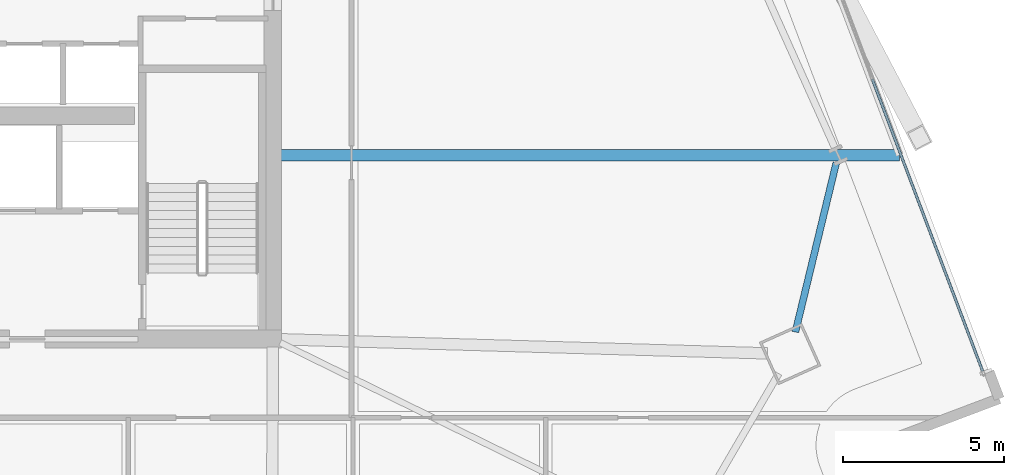
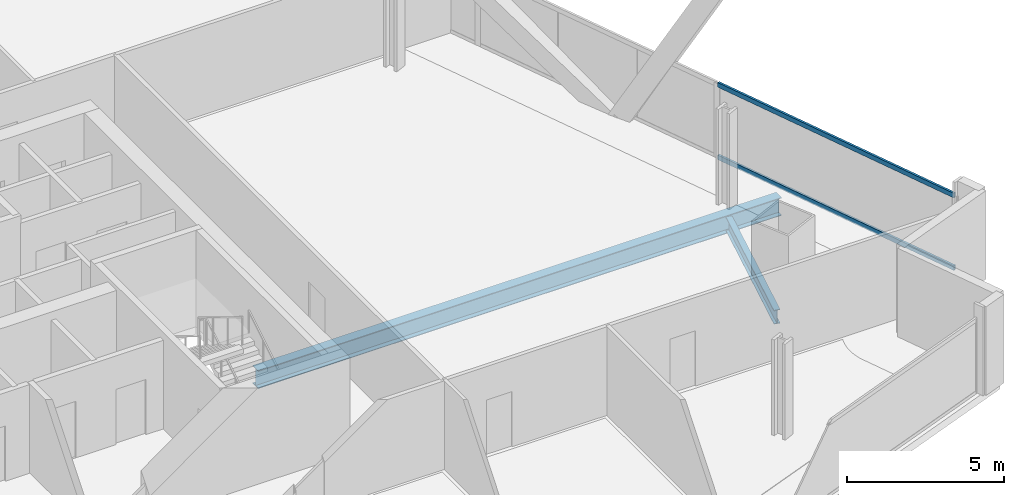
# One storey, part 14 of 37: 2 beams, 2 members, 1 element without a shape of its own.
"""IFC4 building model written with IfcOpenShell, lengths in metres."""

from ifc_helpers import new_model, si_unit, direction, frame, origin, origin_2d, place, context, subcontext, project, spatial, hollow_rectangle, i_section, extrude, material, material_profile, profile_set, type_object, element, aggregate, save


model = new_model("IFC4")

# Units and contexts
model_context = context("Model", 3, precision=1e-05, world=origin(), true_north=direction((0.0, 1.0)))
body_context = subcontext(model_context, "Body", "Model", "MODEL_VIEW")
ifc_project = project(units=[si_unit("LENGTHUNIT", "METRE"), si_unit("AREAUNIT", "SQUARE_METRE"), si_unit("VOLUMEUNIT", "CUBIC_METRE"), si_unit("PLANEANGLEUNIT", "RADIAN"), si_unit("MASSUNIT", "GRAM", prefix="KILO")], contexts=[model_context])

# Site, building, storey
site_placement = place(None, origin())
site = spatial("IfcSite", under=ifc_project, at=site_placement, CompositionType="ELEMENT")
building_placement = place(site_placement, origin())
building = spatial("IfcBuilding", under=site, at=building_placement, Name="Haldenkirk Collegiate Tower", CompositionType="ELEMENT")
storey_placement = place(building_placement, frame((0.0, 0.0, 97.949951171875)))
storey = spatial("IfcBuildingStorey", under=building, at=storey_placement, Name="L23", CompositionType="ELEMENT", Elevation=97.949951171875)

# Beams
ifc_material_1 = material(Name="Steel ASTM A992 Grade 50", Category="steel")
ifc_material_profile_1 = material_profile(ifc_material_1, i_section(OverallWidth=0.35498046875, OverallDepth=0.696044921875, WebThickness=0.015380859375, FlangeThickness=0.02490234375, at=origin_2d()), Name="W27X146")
ifc_profile_set_1 = profile_set([ifc_material_profile_1], Name="Steel ASTM A992 Grade 50")
beam_type_1 = type_object("IfcBeamType", Name="BM-GIRDER-W27X146", PredefinedType="BEAM", material=ifc_profile_set_1)
beam_1_placement = place(storey_placement, frame((64.52490234375, 23.727294921875, -0.64794921875), z_axis=(-1.0, 0.0, 0.0), x_axis=(0.0, -1.0, 0.0)))
element("IfcBeam", 1, at=beam_1_placement, inside=storey, type_object=beam_type_1, Name="L23 primary floor girder 08", PredefinedType="BEAM", context=body_context, shape_type="SweptSolid", body=[
    extrude(i_section(OverallWidth=0.35498046875, OverallDepth=0.696044921875, WebThickness=0.015380859375, FlangeThickness=0.02490234375, at=origin_2d()), origin(), (0.0, 0.0, 1.0), 19.27001953125),
])
ifc_material_profile_2 = material_profile(ifc_material_1, i_section(OverallWidth=0.2119140625, OverallDepth=0.5439453125, WebThickness=0.01318359375, FlangeThickness=0.021240234375, at=origin_2d()), Name="W21X83")
ifc_profile_set_2 = profile_set([ifc_material_profile_2], Name="Steel ASTM A992 Grade 50")
beam_type_2 = type_object("IfcBeamType", Name="BM-SPANDREL-W21X83", PredefinedType="SPANDREL", material=ifc_profile_set_2)
beam_2_placement = place(storey_placement, frame((61.277587890625, 18.21826171875, -0.572021484375), z_axis=(0.234815122269, 0.972040049768, 0.0), x_axis=(-0.972040049768, 0.234815122269, 0.0)))
element("IfcBeam", 2, at=beam_2_placement, inside=storey, type_object=beam_type_2, Name="L23 perimeter spandrel beam 05", PredefinedType="SPANDREL", context=body_context, shape_type="SweptSolid", body=[
    extrude(i_section(OverallWidth=0.2119140625, OverallDepth=0.5439453125, WebThickness=0.01318359375, FlangeThickness=0.021240234375, at=origin_2d()), origin(), (0.0, 0.0, 1.0), 5.422119140625),
])

# Curtain wall, members
ifc_material_2 = material(Name="Anodised architectural bronze aluminium", Category="aluminium")
curtain_wall_type = type_object("IfcCurtainWallType", Name="CW-SYS1-CONVEX-LOW", PredefinedType="USERDEFINED", material=ifc_material_2)
curtain_wall_placement = place(storey_placement, origin())
curtain_wall = element("IfcCurtainWall", 3, at=curtain_wall_placement, inside=storey, type_object=curtain_wall_type, Name="L23 Lower tower convex bronze-framed unitised curtain wall", ObjectType="UNITISED CURTAIN WALL", PredefinedType="USERDEFINED")
ifc_material_profile_3 = material_profile(ifc_material_2, hollow_rectangle(XDim=0.080078125, YDim=0.179931640625, WallThickness=0.0048828125, at=origin_2d()), Name="CW-TRN-1A")
ifc_profile_set_3 = profile_set([ifc_material_profile_3], Name="Anodised architectural bronze aluminium")
member_type = type_object("IfcMemberType", Name="CW-TRN-1A", PredefinedType="USERDEFINED", material=ifc_profile_set_3)
member_1_placement = place(storey_placement, frame((63.671875, 26.09765625, 0.0400390625), z_axis=(0.353489862258, -0.935438355682, 0.0), x_axis=(0.935438355682, 0.353489862258, 0.0)))
member_1 = element("IfcMember", 4, at=member_1_placement, type_object=member_type, Name="CW-1A transom 4.1", ObjectType="TRANSOM", PredefinedType="USERDEFINED", context=body_context, shape_type="SweptSolid", body=[
    extrude(hollow_rectangle(XDim=0.080078125, YDim=0.179931640625, WallThickness=0.0048828125, at=origin_2d()), origin(), (0.0, 0.0, 1.0), 9.72998046875),
])
member_2_placement = place(storey_placement, frame((63.671875, 26.09765625, 2.861083984375), z_axis=(0.353489862258, -0.935438355682, 0.0), x_axis=(0.935438355682, 0.353489862258, 0.0)))
member_2 = element("IfcMember", 5, at=member_2_placement, type_object=member_type, Name="CW-1A transom 4.2", ObjectType="TRANSOM", PredefinedType="USERDEFINED", context=body_context, shape_type="SweptSolid", body=[
    extrude(hollow_rectangle(XDim=0.080078125, YDim=0.179931640625, WallThickness=0.0048828125, at=origin_2d()), origin(), (0.0, 0.0, 1.0), 9.72998046875),
])
aggregate(curtain_wall, [member_1, member_2])

save(model, "model.ifc")
